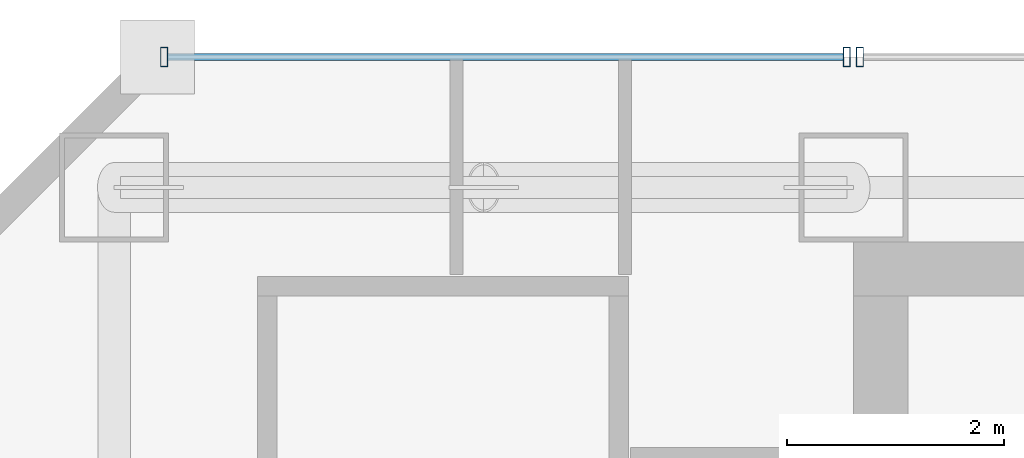
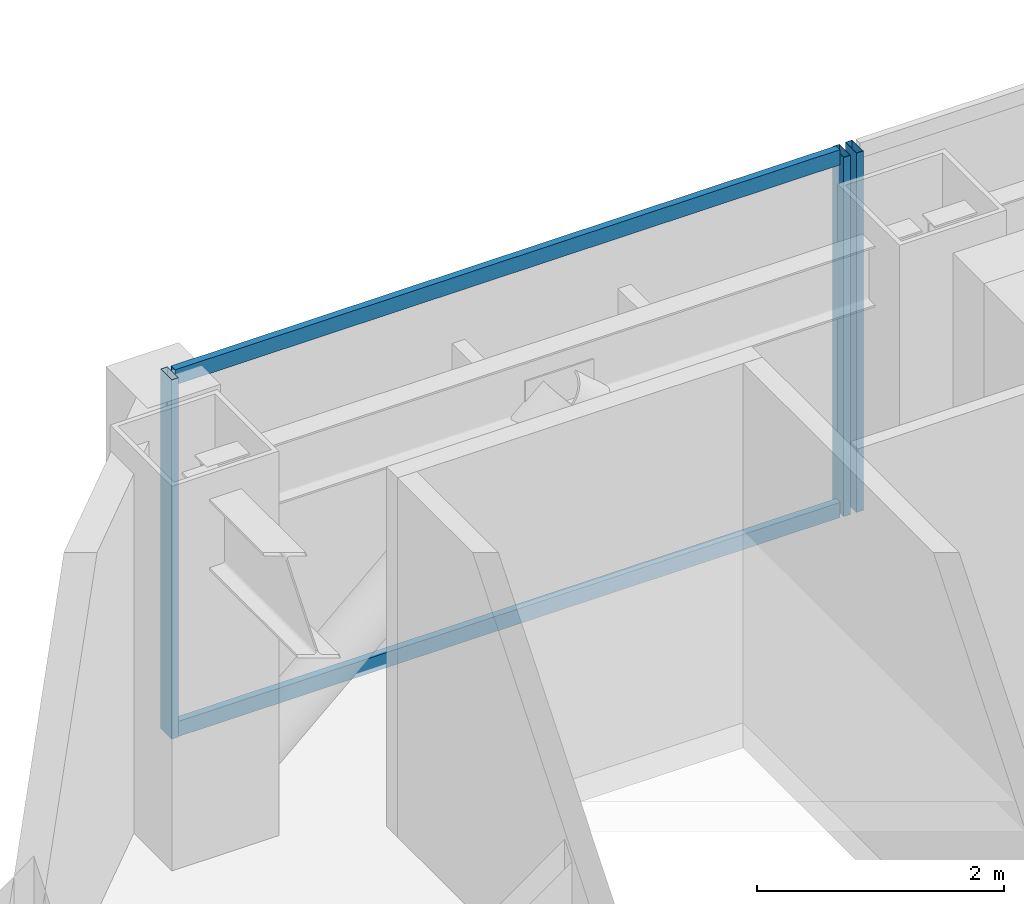
# One storey, part 22 of 37: 5 members, 2 elements without a shape of their own.
"""IFC4 building model written with IfcOpenShell, lengths in metres."""

from ifc_helpers import new_model, si_unit, direction, frame, origin, origin_2d, place, context, subcontext, project, spatial, hollow_rectangle, extrude, material, material_profile, profile_set, type_object, element, aggregate, save


model = new_model("IFC4")

# Units and contexts
model_context = context("Model", 3, precision=1e-05, world=origin(), true_north=direction((0.0, 1.0)))
body_context = subcontext(model_context, "Body", "Model", "MODEL_VIEW")
ifc_project = project(units=[si_unit("LENGTHUNIT", "METRE"), si_unit("AREAUNIT", "SQUARE_METRE"), si_unit("VOLUMEUNIT", "CUBIC_METRE"), si_unit("PLANEANGLEUNIT", "RADIAN"), si_unit("MASSUNIT", "GRAM", prefix="KILO")], contexts=[model_context])

# Site, building, storey
site_placement = place(None, origin())
site = spatial("IfcSite", under=ifc_project, at=site_placement, CompositionType="ELEMENT")
building_placement = place(site_placement, origin())
building = spatial("IfcBuilding", under=site, at=building_placement, Name="Saevonmaru Cultural Tower", CompositionType="ELEMENT")
storey_placement = place(building_placement, frame((0.0, 0.0, 163.800048828125)))
storey = spatial("IfcBuildingStorey", under=building, at=storey_placement, Name="L36", CompositionType="ELEMENT", Elevation=163.800048828125)

# Curtain wall, member
ifc_material = material(Name="Satin Bronze Anodised Aluminium", Category="aluminium")
curtain_wall_type = type_object("IfcCurtainWallType", Name="CW-TYP-A", PredefinedType="NOTDEFINED", material=ifc_material)
curtain_wall_1_placement = place(storey_placement, origin())
curtain_wall_1 = element("IfcCurtainWall", 1, at=curtain_wall_1_placement, inside=storey, type_object=curtain_wall_type, Name="L36 North Spine Unitised Curtain Wall E10B", PredefinedType="NOTDEFINED")
ifc_material_profile_1 = material_profile(ifc_material, hollow_rectangle(XDim=0.06494140625, YDim=0.179931640625, WallThickness=0.00390625, at=origin_2d()), Name="ALU-MULL-180x65x4")
ifc_profile_set_1 = profile_set([ifc_material_profile_1], Name="Satin Bronze Anodised Aluminium")
member_type_1 = type_object("IfcMemberType", Name="ML-CW-180x65", PredefinedType="MULLION", material=ifc_profile_set_1)
member_1_placement = place(storey_placement, frame((13.659912109375, 56.0, 0.0), z_axis=(0.0, 0.0, 1.0), x_axis=(-1.0, 0.0, 0.0)))
member_1 = element("IfcMember", 2, at=member_1_placement, type_object=member_type_1, Name="CW-TW-L36-E10B mullion 4", PredefinedType="MULLION", context=body_context, shape_type="SweptSolid", body=[
    extrude(hollow_rectangle(XDim=0.06494140625, YDim=0.179931640625, WallThickness=0.00390625, at=origin_2d()), origin(), (0.0, 0.0, 1.0), 3.550048828125),
])
aggregate(curtain_wall_1, [member_1])

# Curtain wall, members
curtain_wall_2_placement = place(storey_placement, origin())
curtain_wall_2 = element("IfcCurtainWall", 3, at=curtain_wall_2_placement, inside=storey, type_object=curtain_wall_type, Name="L36 West Braced Bay Spandrel Curtain Wall E10C", PredefinedType="NOTDEFINED")
member_2_placement = place(storey_placement, frame((13.5400390625, 56.0, 0.0), z_axis=(0.0, 0.0, 1.0), x_axis=(-1.0, 0.0, 0.0)))
member_2 = element("IfcMember", 4, at=member_2_placement, type_object=member_type_1, Name="CW-TW-L36-E10C mullion 1", PredefinedType="MULLION", context=body_context, shape_type="SweptSolid", body=[
    extrude(hollow_rectangle(XDim=0.06494140625, YDim=0.179931640625, WallThickness=0.00390625, at=origin_2d()), origin(), (0.0, 0.0, 1.0), 3.550048828125),
])
member_3_placement = place(storey_placement, frame((7.260009765625, 56.0, 0.0), z_axis=(0.0, 0.0, 1.0), x_axis=(-1.0, 0.0, 0.0)))
member_3 = element("IfcMember", 5, at=member_3_placement, type_object=member_type_1, Name="CW-TW-L36-E10C mullion 2", PredefinedType="MULLION", context=body_context, shape_type="SweptSolid", body=[
    extrude(hollow_rectangle(XDim=0.06494140625, YDim=0.179931640625, WallThickness=0.00390625, at=origin_2d()), origin(), (0.0, 0.0, 1.0), 3.550048828125),
])
ifc_material_profile_2 = material_profile(ifc_material, hollow_rectangle(XDim=0.06494140625, YDim=0.14990234375, WallThickness=0.00390625, at=origin_2d()), Name="ALU-TRAN-150x65x4")
ifc_profile_set_2 = profile_set([ifc_material_profile_2], Name="Satin Bronze Anodised Aluminium")
member_type_2 = type_object("IfcMemberType", Name="TR-CW-150x65", PredefinedType="USERDEFINED", material=ifc_profile_set_2)
member_4_placement = place(storey_placement, frame((13.507568359375, 56.0, 0.032470703125), z_axis=(-1.0, 0.0, 0.0), x_axis=(0.0, -1.0, 0.0)))
member_4 = element("IfcMember", 6, at=member_4_placement, type_object=member_type_2, Name="CW-TW-L36-E10C transom 1.1", ObjectType="TRANSOM", PredefinedType="USERDEFINED", context=body_context, shape_type="SweptSolid", body=[
    extrude(hollow_rectangle(XDim=0.06494140625, YDim=0.14990234375, WallThickness=0.00390625, at=origin_2d()), origin(), (0.0, 0.0, 1.0), 6.215087890625),
])
member_5_placement = place(storey_placement, frame((13.507568359375, 56.0, 3.517333984375), z_axis=(-1.0, 0.0, 0.0), x_axis=(0.0, -1.0, 0.0)))
member_5 = element("IfcMember", 7, at=member_5_placement, type_object=member_type_2, Name="CW-TW-L36-E10C transom 1.2", ObjectType="TRANSOM", PredefinedType="USERDEFINED", context=body_context, shape_type="SweptSolid", body=[
    extrude(hollow_rectangle(XDim=0.06494140625, YDim=0.14990234375, WallThickness=0.00390625, at=origin_2d()), origin(), (0.0, 0.0, 1.0), 6.215087890625),
])
aggregate(curtain_wall_2, [member_2, member_3, member_4, member_5])

save(model, "model.ifc")
